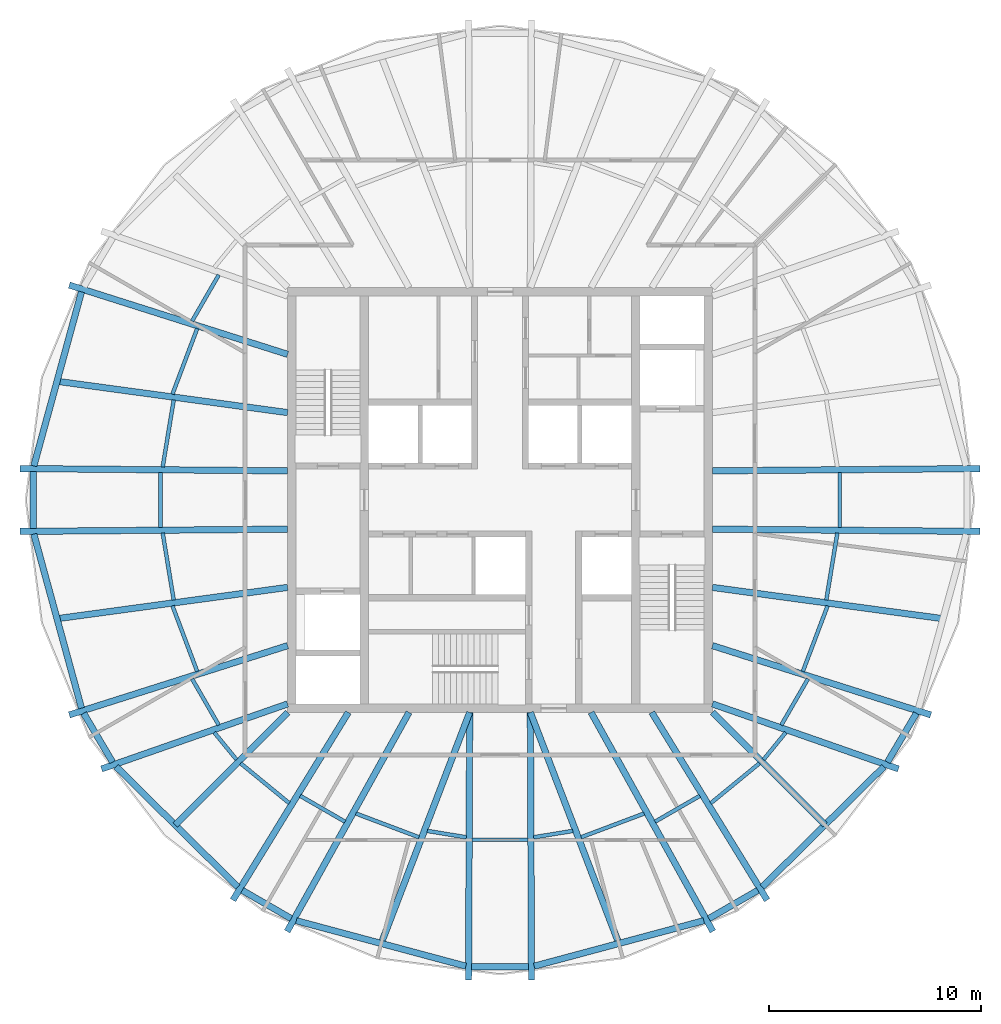
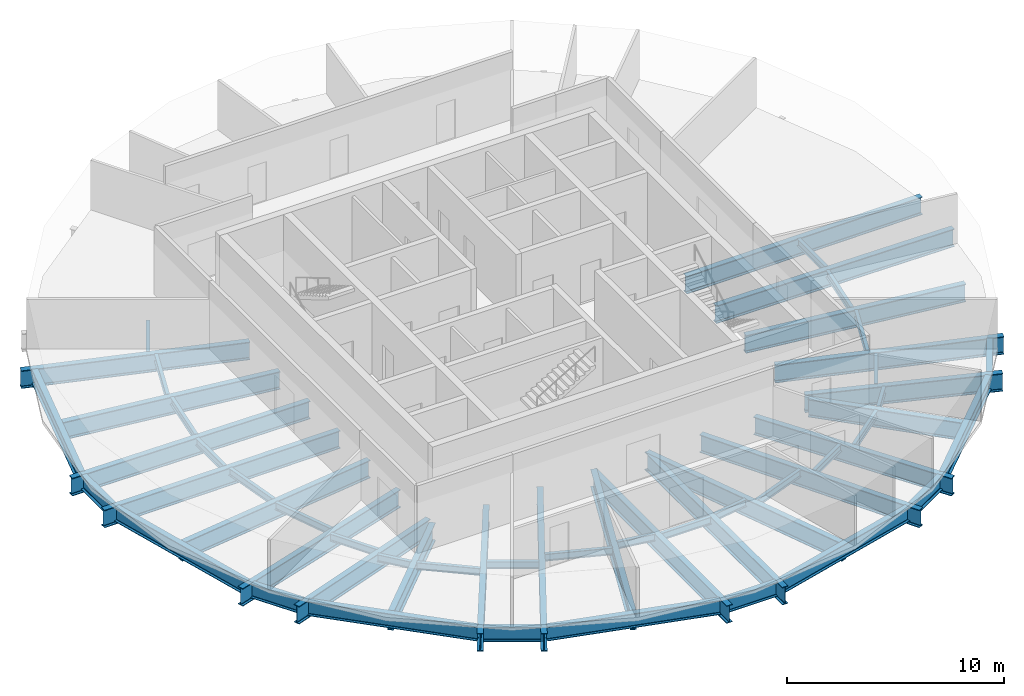
# One storey, part 1 of 6: 56 beams.
"""IFC4 building model written with IfcOpenShell, lengths in metres."""

from ifc_helpers import new_model, si_unit, direction, frame, origin, origin_2d, place, context, subcontext, project, spatial, i_section, extrude, material, material_profile, profile_set, type_object, element, save


model = new_model("IFC4")

# Units and contexts
model_context = context("Model", 3, precision=1e-05, world=origin(), true_north=direction((0.0, 1.0)))
body_context = subcontext(model_context, "Body", "Model", "MODEL_VIEW")
ifc_project = project(units=[si_unit("LENGTHUNIT", "METRE"), si_unit("AREAUNIT", "SQUARE_METRE"), si_unit("VOLUMEUNIT", "CUBIC_METRE"), si_unit("PLANEANGLEUNIT", "RADIAN"), si_unit("MASSUNIT", "GRAM", prefix="KILO")], contexts=[model_context])

# Site, building, storey
site_placement = place(None, origin())
site = spatial("IfcSite", under=ifc_project, at=site_placement, CompositionType="ELEMENT")
building_placement = place(site_placement, origin())
building = spatial("IfcBuilding", under=site, at=building_placement, Name="Golbaran Civic Tower", CompositionType="ELEMENT")
storey_placement = place(building_placement, frame((0.0, 0.0, 252.0)))
storey = spatial("IfcBuildingStorey", under=building, at=storey_placement, Name="L61", CompositionType="ELEMENT", Elevation=252.0)

# Beams
ifc_material = material(Name="Steel S355", Category="steel")
ifc_material_profile_1 = material_profile(ifc_material, i_section(OverallWidth=0.300048828125, OverallDepth=0.800048828125, WebThickness=0.017578125, FlangeThickness=0.032958984375, FilletRadius=0.030029296875, at=origin_2d()), Name="HEB 800")
ifc_profile_set_1 = profile_set([ifc_material_profile_1], Name="Steel S355")
beam_type_1 = type_object("IfcBeamType", Name="EDGE BEAM HEB 800", PredefinedType="BEAM", material=ifc_profile_set_1)
beam_1_placement = place(storey_placement, frame((-19.702392578125, 9.79833984375, -0.60009765625), z_axis=(-0.2639854018, -0.964526675441, 0.0), x_axis=(0.964526675441, -0.2639854018, 0.0)))
element("IfcBeam", 1, at=beam_1_placement, inside=storey, type_object=beam_type_1, Name="Edge beam 153.68 L61", PredefinedType="BEAM", context=body_context, shape_type="SweptSolid", body=[
    extrude(i_section(OverallWidth=0.300048828125, OverallDepth=0.800048828125, WebThickness=0.017578125, FlangeThickness=0.032958984375, FilletRadius=0.030029296875, at=origin_2d()), origin(), (0.0, 0.0, 1.0), 8.495361328125),
])
beam_2_placement = place(storey_placement, frame((-21.98046875, 1.344482421875, -0.60009765625), z_axis=(0.0, -1.0, 0.0), x_axis=(1.0, 0.0, 0.0)))
element("IfcBeam", 2, at=beam_2_placement, inside=storey, type_object=beam_type_1, Name="Edge beam 176.32 L61", PredefinedType="BEAM", context=body_context, shape_type="SweptSolid", body=[
    extrude(i_section(OverallWidth=0.300048828125, OverallDepth=0.800048828125, WebThickness=0.017578125, FlangeThickness=0.032958984375, FilletRadius=0.030029296875, at=origin_2d()), origin(), (0.0, 0.0, 1.0), 2.68896484375),
])
beam_3_placement = place(storey_placement, frame((-21.945068359375, -1.604248046875, -0.60009765625), z_axis=(0.2639854018, -0.964526675441, 0.0), x_axis=(0.964526675441, 0.2639854018, 0.0)))
element("IfcBeam", 3, at=beam_3_placement, inside=storey, type_object=beam_type_1, Name="Edge beam 183.68 L61", PredefinedType="BEAM", context=body_context, shape_type="SweptSolid", body=[
    extrude(i_section(OverallWidth=0.300048828125, OverallDepth=0.800048828125, WebThickness=0.017578125, FlangeThickness=0.032958984375, FilletRadius=0.030029296875, at=origin_2d()), origin(), (0.0, 0.0, 1.0), 8.495361328125),
])
beam_4_placement = place(storey_placement, frame((-19.600341796875, -10.03857421875, -0.60009765625), z_axis=(0.509116713484, -0.860697491602, 0.0), x_axis=(0.860697491602, 0.509116713484, 0.0)))
element("IfcBeam", 4, at=beam_4_placement, inside=storey, type_object=beam_type_1, Name="Edge beam 206.32 L61", PredefinedType="BEAM", context=body_context, shape_type="SweptSolid", body=[
    extrude(i_section(OverallWidth=0.300048828125, OverallDepth=0.800048828125, WebThickness=0.017578125, FlangeThickness=0.032958984375, FilletRadius=0.030029296875, at=origin_2d()), origin(), (0.0, 0.0, 1.0), 2.6748046875),
])
beam_5_placement = place(storey_placement, frame((-18.068115234375, -12.556884765625, -0.60009765625), z_axis=(0.711084081666, -0.703106982473, 0.0), x_axis=(0.703106982473, 0.711084081666, 0.0)))
element("IfcBeam", 5, at=beam_5_placement, inside=storey, type_object=beam_type_1, Name="Edge beam 213.68 L61", PredefinedType="BEAM", context=body_context, shape_type="SweptSolid", body=[
    extrude(i_section(OverallWidth=0.300048828125, OverallDepth=0.800048828125, WebThickness=0.017578125, FlangeThickness=0.032958984375, FilletRadius=0.030029296875, at=origin_2d()), origin(), (0.0, 0.0, 1.0), 8.049072265625),
])
beam_6_placement = place(storey_placement, frame((-12.136962890625, -18.375244140625, -0.60009765625), z_axis=(0.866179473096, -0.499733049124, 0.0), x_axis=(0.499733049124, 0.866179473096, 0.0)))
element("IfcBeam", 6, at=beam_6_placement, inside=storey, type_object=beam_type_1, Name="Edge beam 236.32 L61", PredefinedType="BEAM", context=body_context, shape_type="SweptSolid", body=[
    extrude(i_section(OverallWidth=0.300048828125, OverallDepth=0.800048828125, WebThickness=0.017578125, FlangeThickness=0.032958984375, FilletRadius=0.030029296875, at=origin_2d()), origin(), (0.0, 0.0, 1.0), 2.65966796875),
])
beam_7_placement = place(storey_placement, frame((-9.59130859375, -19.803955078125, -0.60009765625), z_axis=(0.965846984798, -0.259113106492, 0.0), x_axis=(0.259113106492, 0.965846984798, 0.0)))
element("IfcBeam", 7, at=beam_7_placement, inside=storey, type_object=beam_type_1, Name="Edge beam 243.68 L61", PredefinedType="BEAM", context=body_context, shape_type="SweptSolid", body=[
    extrude(i_section(OverallWidth=0.300048828125, OverallDepth=0.800048828125, WebThickness=0.017578125, FlangeThickness=0.032958984375, FilletRadius=0.030029296875, at=origin_2d()), origin(), (0.0, 0.0, 1.0), 8.26416015625),
])
beam_8_placement = place(storey_placement, frame((-1.349365234375, -21.980224609375, -0.60009765625), z_axis=(1.0, 0.0, 0.0), x_axis=(0.0, 1.0, 0.0)))
element("IfcBeam", 8, at=beam_8_placement, inside=storey, type_object=beam_type_1, Name="Edge beam 266.32 L61", PredefinedType="BEAM", context=body_context, shape_type="SweptSolid", body=[
    extrude(i_section(OverallWidth=0.300048828125, OverallDepth=0.800048828125, WebThickness=0.017578125, FlangeThickness=0.032958984375, FilletRadius=0.030029296875, at=origin_2d()), origin(), (0.0, 0.0, 1.0), 2.69873046875),
])
beam_9_placement = place(storey_placement, frame((1.609375, -21.9453125, -0.60009765625), z_axis=(0.965846984798, 0.259113106492, 0.0), x_axis=(-0.259113106492, 0.965846984798, 0.0)))
element("IfcBeam", 9, at=beam_9_placement, inside=storey, type_object=beam_type_1, Name="Edge beam 273.68 L61", PredefinedType="BEAM", context=body_context, shape_type="SweptSolid", body=[
    extrude(i_section(OverallWidth=0.300048828125, OverallDepth=0.800048828125, WebThickness=0.017578125, FlangeThickness=0.032958984375, FilletRadius=0.030029296875, at=origin_2d()), origin(), (0.0, 0.0, 1.0), 8.26416015625),
])
beam_10_placement = place(storey_placement, frame((9.833251953125, -19.704345703125, -0.60009765625), z_axis=(0.866179473096, 0.499733049124, 0.0), x_axis=(-0.499733049124, 0.866179473096, 0.0)))
element("IfcBeam", 10, at=beam_10_placement, inside=storey, type_object=beam_type_1, Name="Edge beam 296.32 L61", PredefinedType="BEAM", context=body_context, shape_type="SweptSolid", body=[
    extrude(i_section(OverallWidth=0.300048828125, OverallDepth=0.800048828125, WebThickness=0.017578125, FlangeThickness=0.032958984375, FilletRadius=0.030029296875, at=origin_2d()), origin(), (0.0, 0.0, 1.0), 2.65966796875),
])
beam_11_placement = place(storey_placement, frame((12.344482421875, -18.21630859375, -0.60009765625), z_axis=(0.711084081666, 0.703106982473, 0.0), x_axis=(-0.703106982473, 0.711084081666, 0.0)))
element("IfcBeam", 11, at=beam_11_placement, inside=storey, type_object=beam_type_1, Name="Edge beam 303.68 L61", PredefinedType="BEAM", context=body_context, shape_type="SweptSolid", body=[
    extrude(i_section(OverallWidth=0.300048828125, OverallDepth=0.800048828125, WebThickness=0.017578125, FlangeThickness=0.032958984375, FilletRadius=0.030029296875, at=origin_2d()), origin(), (0.0, 0.0, 1.0), 8.049072265625),
])
beam_12_placement = place(storey_placement, frame((18.238525390625, -12.3408203125, -0.60009765625), z_axis=(0.509116713484, 0.860697491602, 0.0), x_axis=(-0.860697491602, 0.509116713484, 0.0)))
element("IfcBeam", 12, at=beam_12_placement, inside=storey, type_object=beam_type_1, Name="Edge beam 326.32 L61", PredefinedType="BEAM", context=body_context, shape_type="SweptSolid", body=[
    extrude(i_section(OverallWidth=0.300048828125, OverallDepth=0.800048828125, WebThickness=0.017578125, FlangeThickness=0.032958984375, FilletRadius=0.030029296875, at=origin_2d()), origin(), (0.0, 0.0, 1.0), 2.6748046875),
])
ifc_material_profile_2 = material_profile(ifc_material, i_section(OverallWidth=0.179931640625, OverallDepth=0.39990234375, WebThickness=0.008544921875, FlangeThickness=0.013427734375, FilletRadius=0.02099609375, at=origin_2d()), Name="IPE 400")
ifc_profile_set_2 = profile_set([ifc_material_profile_2], Name="Steel S355")
beam_type_2 = type_object("IfcBeamType", Name="FLOOR INFILL BEAM IPE 400", PredefinedType="BEAM", material=ifc_profile_set_2)
beam_13_placement = place(storey_placement, frame((-13.2412109375, 10.5947265625, -0.39990234375), z_axis=(-0.499997360652, -0.866026927608, 0.0), x_axis=(0.866026927608, -0.499997360652, 0.0)))
element("IfcBeam", 13, at=beam_13_placement, inside=storey, type_object=beam_type_2, Name="Infill beam 150.00 L61", PredefinedType="BEAM", context=body_context, shape_type="SweptSolid", body=[
    extrude(i_section(OverallWidth=0.179931640625, OverallDepth=0.39990234375, WebThickness=0.008544921875, FlangeThickness=0.013427734375, FilletRadius=0.02099609375, at=origin_2d()), origin(), (0.0, 0.0, 1.0), 2.51123046875),
])
beam_14_placement = place(storey_placement, frame((-14.25537109375, 8.070556640625, -0.39990234375), z_axis=(-0.352881374098, -0.93566806925, 0.0), x_axis=(0.93566806925, -0.352881374098, 0.0)))
element("IfcBeam", 14, at=beam_14_placement, inside=storey, type_object=beam_type_2, Name="Infill beam 159.34 L61", PredefinedType="BEAM", context=body_context, shape_type="SweptSolid", body=[
    extrude(i_section(OverallWidth=0.179931640625, OverallDepth=0.39990234375, WebThickness=0.008544921875, FlangeThickness=0.013427734375, FilletRadius=0.02099609375, at=origin_2d()), origin(), (0.0, 0.0, 1.0), 3.301513671875),
])
beam_15_placement = place(storey_placement, frame((-15.360107421875, 4.7109375, -0.39990234375), z_axis=(-0.162283906091, -0.98674410757, 0.0), x_axis=(0.98674410757, -0.162283906091, 0.0)))
element("IfcBeam", 15, at=beam_15_placement, inside=storey, type_object=beam_type_2, Name="Infill beam 170.66 L61", PredefinedType="BEAM", context=body_context, shape_type="SweptSolid", body=[
    extrude(i_section(OverallWidth=0.179931640625, OverallDepth=0.39990234375, WebThickness=0.008544921875, FlangeThickness=0.013427734375, FilletRadius=0.02099609375, at=origin_2d()), origin(), (0.0, 0.0, 1.0), 3.201416015625),
])
beam_16_placement = place(storey_placement, frame((-15.990234375, 1.29296875, -0.39990234375), z_axis=(0.0, -1.0, 0.0), x_axis=(1.0, 0.0, 0.0)))
element("IfcBeam", 16, at=beam_16_placement, inside=storey, type_object=beam_type_2, Name="Infill beam 180.00 L61", PredefinedType="BEAM", context=body_context, shape_type="SweptSolid", body=[
    extrude(i_section(OverallWidth=0.179931640625, OverallDepth=0.39990234375, WebThickness=0.008544921875, FlangeThickness=0.013427734375, FilletRadius=0.02099609375, at=origin_2d()), origin(), (0.0, 0.0, 1.0), 2.5859375),
])
beam_17_placement = place(storey_placement, frame((-15.879638671875, -1.552001953125, -0.39990234375), z_axis=(0.162283906091, -0.98674410757, 0.0), x_axis=(0.98674410757, 0.162283906091, 0.0)))
element("IfcBeam", 17, at=beam_17_placement, inside=storey, type_object=beam_type_2, Name="Infill beam 189.34 L61", PredefinedType="BEAM", context=body_context, shape_type="SweptSolid", body=[
    extrude(i_section(OverallWidth=0.179931640625, OverallDepth=0.39990234375, WebThickness=0.008544921875, FlangeThickness=0.013427734375, FilletRadius=0.02099609375, at=origin_2d()), origin(), (0.0, 0.0, 1.0), 3.201416015625),
])
beam_18_placement = place(storey_placement, frame((-15.42041015625, -4.9814453125, -0.39990234375), z_axis=(0.352881374098, -0.93566806925, 0.0), x_axis=(0.93566806925, 0.352881374098, 0.0)))
element("IfcBeam", 18, at=beam_18_placement, inside=storey, type_object=beam_type_2, Name="Infill beam 200.66 L61", PredefinedType="BEAM", context=body_context, shape_type="SweptSolid", body=[
    extrude(i_section(OverallWidth=0.179931640625, OverallDepth=0.39990234375, WebThickness=0.008544921875, FlangeThickness=0.013427734375, FilletRadius=0.02099609375, at=origin_2d()), origin(), (0.0, 0.0, 1.0), 3.301513671875),
])
beam_19_placement = place(storey_placement, frame((-14.496826171875, -8.419921875, -0.39990234375), z_axis=(0.499997360652, -0.866026927608, 0.0), x_axis=(0.866026927608, 0.499997360652, 0.0)))
element("IfcBeam", 19, at=beam_19_placement, inside=storey, type_object=beam_type_2, Name="Infill beam 210.00 L61", PredefinedType="BEAM", context=body_context, shape_type="SweptSolid", body=[
    extrude(i_section(OverallWidth=0.179931640625, OverallDepth=0.39990234375, WebThickness=0.008544921875, FlangeThickness=0.013427734375, FilletRadius=0.02099609375, at=origin_2d()), origin(), (0.0, 0.0, 1.0), 2.51123046875),
])
beam_20_placement = place(storey_placement, frame((-13.451171875, -10.943603515625, -0.39990234375), z_axis=(0.633865610673, -0.773443202573, 0.0), x_axis=(0.773443202573, 0.633865610673, 0.0)))
element("IfcBeam", 20, at=beam_20_placement, inside=storey, type_object=beam_type_2, Name="Infill beam 219.34 L61", PredefinedType="BEAM", context=body_context, shape_type="SweptSolid", body=[
    extrude(i_section(OverallWidth=0.179931640625, OverallDepth=0.39990234375, WebThickness=0.008544921875, FlangeThickness=0.013427734375, FilletRadius=0.02099609375, at=origin_2d()), origin(), (0.0, 0.0, 1.0), 1.651123046875),
])
beam_21_placement = place(storey_placement, frame((-12.2119140625, -12.395751953125, -0.39990234375), z_axis=(0.773398730405, -0.633919871756, 0.0), x_axis=(0.633919871756, 0.773398730405, 0.0)))
element("IfcBeam", 21, at=beam_21_placement, inside=storey, type_object=beam_type_2, Name="Infill beam 230.66 L61", PredefinedType="BEAM", context=body_context, shape_type="SweptSolid", body=[
    extrude(i_section(OverallWidth=0.179931640625, OverallDepth=0.39990234375, WebThickness=0.008544921875, FlangeThickness=0.013427734375, FilletRadius=0.02099609375, at=origin_2d()), origin(), (0.0, 0.0, 1.0), 2.961669921875),
])
beam_22_placement = place(storey_placement, frame((-9.404296875, -13.92822265625, -0.39990234375), z_axis=(0.866036909293, -0.499980071345, 0.0), x_axis=(0.499980071345, 0.866036909293, 0.0)))
element("IfcBeam", 22, at=beam_22_placement, inside=storey, type_object=beam_type_2, Name="Infill beam 240.00 L61", PredefinedType="BEAM", context=body_context, shape_type="SweptSolid", body=[
    extrude(i_section(OverallWidth=0.179931640625, OverallDepth=0.39990234375, WebThickness=0.008544921875, FlangeThickness=0.013427734375, FilletRadius=0.02099609375, at=origin_2d()), origin(), (0.0, 0.0, 1.0), 2.43359375),
])
beam_23_placement = place(storey_placement, frame((-6.7841796875, -14.75830078125, -0.39990234375), z_axis=(0.93568186267, -0.352844798559, 0.0), x_axis=(0.352844798559, 0.93568186267, 0.0)))
element("IfcBeam", 23, at=beam_23_placement, inside=storey, type_object=beam_type_2, Name="Infill beam 249.34 L61", PredefinedType="BEAM", context=body_context, shape_type="SweptSolid", body=[
    extrude(i_section(OverallWidth=0.179931640625, OverallDepth=0.39990234375, WebThickness=0.008544921875, FlangeThickness=0.013427734375, FilletRadius=0.02099609375, at=origin_2d()), origin(), (0.0, 0.0, 1.0), 3.169677734375),
])
beam_24_placement = place(storey_placement, frame((-3.42529296875, -15.57763671875, -0.39990234375), z_axis=(0.986759112709, -0.162192643128, 0.0), x_axis=(0.162192643128, 0.986759112709, 0.0)))
element("IfcBeam", 24, at=beam_24_placement, inside=storey, type_object=beam_type_2, Name="Infill beam 260.66 L61", PredefinedType="BEAM", context=body_context, shape_type="SweptSolid", body=[
    extrude(i_section(OverallWidth=0.179931640625, OverallDepth=0.39990234375, WebThickness=0.008544921875, FlangeThickness=0.013427734375, FilletRadius=0.02099609375, at=origin_2d()), origin(), (0.0, 0.0, 1.0), 1.866455078125),
])
beam_25_placement = place(storey_placement, frame((-1.323974609375, -15.989990234375, -0.39990234375), z_axis=(1.0, 0.0, 0.0), x_axis=(0.0, 1.0, 0.0)))
element("IfcBeam", 25, at=beam_25_placement, inside=storey, type_object=beam_type_2, Name="Infill beam 270.00 L61", PredefinedType="BEAM", context=body_context, shape_type="SweptSolid", body=[
    extrude(i_section(OverallWidth=0.179931640625, OverallDepth=0.39990234375, WebThickness=0.008544921875, FlangeThickness=0.013427734375, FilletRadius=0.02099609375, at=origin_2d()), origin(), (0.0, 0.0, 1.0), 2.64794921875),
])
beam_26_placement = place(storey_placement, frame((1.58349609375, -15.88037109375, -0.39990234375), z_axis=(0.986759112709, 0.162192643128, 0.0), x_axis=(-0.162192643128, 0.986759112709, 0.0)))
element("IfcBeam", 26, at=beam_26_placement, inside=storey, type_object=beam_type_2, Name="Infill beam 279.34 L61", PredefinedType="BEAM", context=body_context, shape_type="SweptSolid", body=[
    extrude(i_section(OverallWidth=0.179931640625, OverallDepth=0.39990234375, WebThickness=0.008544921875, FlangeThickness=0.013427734375, FilletRadius=0.02099609375, at=origin_2d()), origin(), (0.0, 0.0, 1.0), 1.866455078125),
])
beam_27_placement = place(storey_placement, frame((3.818359375, -15.876708984375, -0.39990234375), z_axis=(0.93568186267, 0.352844798559, 0.0), x_axis=(-0.352844798559, 0.93568186267, 0.0)))
element("IfcBeam", 27, at=beam_27_placement, inside=storey, type_object=beam_type_2, Name="Infill beam 290.66 L61", PredefinedType="BEAM", context=body_context, shape_type="SweptSolid", body=[
    extrude(i_section(OverallWidth=0.179931640625, OverallDepth=0.39990234375, WebThickness=0.008544921875, FlangeThickness=0.013427734375, FilletRadius=0.02099609375, at=origin_2d()), origin(), (0.0, 0.0, 1.0), 3.169677734375),
])
beam_28_placement = place(storey_placement, frame((7.296630859375, -15.14501953125, -0.39990234375), z_axis=(0.866036909293, 0.499980071345, 0.0), x_axis=(-0.499980071345, 0.866036909293, 0.0)))
element("IfcBeam", 28, at=beam_28_placement, inside=storey, type_object=beam_type_2, Name="Infill beam 300.00 L61", PredefinedType="BEAM", context=body_context, shape_type="SweptSolid", body=[
    extrude(i_section(OverallWidth=0.179931640625, OverallDepth=0.39990234375, WebThickness=0.008544921875, FlangeThickness=0.013427734375, FilletRadius=0.02099609375, at=origin_2d()), origin(), (0.0, 0.0, 1.0), 2.43359375),
])
beam_29_placement = place(storey_placement, frame((9.92138671875, -14.273193359375, -0.39990234375), z_axis=(0.773398730405, 0.633919871756, 0.0), x_axis=(-0.633919871756, 0.773398730405, 0.0)))
element("IfcBeam", 29, at=beam_29_placement, inside=storey, type_object=beam_type_2, Name="Infill beam 309.34 L61", PredefinedType="BEAM", context=body_context, shape_type="SweptSolid", body=[
    extrude(i_section(OverallWidth=0.179931640625, OverallDepth=0.39990234375, WebThickness=0.008544921875, FlangeThickness=0.013427734375, FilletRadius=0.02099609375, at=origin_2d()), origin(), (0.0, 0.0, 1.0), 2.961669921875),
])
beam_30_placement = place(storey_placement, frame((12.404541015625, -12.220703125, -0.39990234375), z_axis=(0.633865610673, 0.773443202573, 0.0), x_axis=(-0.773443202573, 0.633865610673, 0.0)))
element("IfcBeam", 30, at=beam_30_placement, inside=storey, type_object=beam_type_2, Name="Infill beam 320.66 L61", PredefinedType="BEAM", context=body_context, shape_type="SweptSolid", body=[
    extrude(i_section(OverallWidth=0.179931640625, OverallDepth=0.39990234375, WebThickness=0.008544921875, FlangeThickness=0.013427734375, FilletRadius=0.02099609375, at=origin_2d()), origin(), (0.0, 0.0, 1.0), 1.651123046875),
])
beam_31_placement = place(storey_placement, frame((13.2412109375, -10.5947265625, -0.39990234375), z_axis=(0.499997360652, 0.866026927608, 0.0), x_axis=(-0.866026927608, 0.499997360652, 0.0)))
element("IfcBeam", 31, at=beam_31_placement, inside=storey, type_object=beam_type_2, Name="Infill beam 330.00 L61", PredefinedType="BEAM", context=body_context, shape_type="SweptSolid", body=[
    extrude(i_section(OverallWidth=0.179931640625, OverallDepth=0.39990234375, WebThickness=0.008544921875, FlangeThickness=0.013427734375, FilletRadius=0.02099609375, at=origin_2d()), origin(), (0.0, 0.0, 1.0), 2.51123046875),
])
beam_32_placement = place(storey_placement, frame((14.25537109375, -8.070556640625, -0.39990234375), z_axis=(0.352881374098, 0.93566806925, 0.0), x_axis=(-0.93566806925, 0.352881374098, 0.0)))
element("IfcBeam", 32, at=beam_32_placement, inside=storey, type_object=beam_type_2, Name="Infill beam 339.34 L61", PredefinedType="BEAM", context=body_context, shape_type="SweptSolid", body=[
    extrude(i_section(OverallWidth=0.179931640625, OverallDepth=0.39990234375, WebThickness=0.008544921875, FlangeThickness=0.013427734375, FilletRadius=0.02099609375, at=origin_2d()), origin(), (0.0, 0.0, 1.0), 3.301513671875),
])
beam_33_placement = place(storey_placement, frame((15.360107421875, -4.7109375, -0.39990234375), z_axis=(0.162283906091, 0.98674410757, 0.0), x_axis=(-0.98674410757, 0.162283906091, 0.0)))
element("IfcBeam", 33, at=beam_33_placement, inside=storey, type_object=beam_type_2, Name="Infill beam 350.66 L61", PredefinedType="BEAM", context=body_context, shape_type="SweptSolid", body=[
    extrude(i_section(OverallWidth=0.179931640625, OverallDepth=0.39990234375, WebThickness=0.008544921875, FlangeThickness=0.013427734375, FilletRadius=0.02099609375, at=origin_2d()), origin(), (0.0, 0.0, 1.0), 3.201416015625),
])
beam_34_placement = place(storey_placement, frame((15.990234375, -1.29296875, -0.39990234375), z_axis=(0.0, 1.0, 0.0), x_axis=(-1.0, 0.0, 0.0)))
element("IfcBeam", 34, at=beam_34_placement, inside=storey, type_object=beam_type_2, Name="Infill beam 0.00 L61", PredefinedType="BEAM", context=body_context, shape_type="SweptSolid", body=[
    extrude(i_section(OverallWidth=0.179931640625, OverallDepth=0.39990234375, WebThickness=0.008544921875, FlangeThickness=0.013427734375, FilletRadius=0.02099609375, at=origin_2d()), origin(), (0.0, 0.0, 1.0), 2.5859375),
])
ifc_material_profile_3 = material_profile(ifc_material, i_section(OverallWidth=0.300048828125, OverallDepth=1.0, WebThickness=0.01904296875, FlangeThickness=0.035888671875, FilletRadius=0.030029296875, at=origin_2d()), Name="HEB 1000")
ifc_profile_set_3 = profile_set([ifc_material_profile_3], Name="Steel S355")
beam_type_3 = type_object("IfcBeamType", Name="RADIAL FLOOR BEAM HEB 1000", PredefinedType="BEAM", material=ifc_profile_set_3)
beam_35_placement = place(storey_placement, frame((10.0, 1.371337890625, -0.7099609375), z_axis=(0.999962972, 0.008605499963, 0.0), x_axis=(-0.008605499963, 0.999962972, 0.0)))
element("IfcBeam", 35, at=beam_35_placement, inside=storey, type_object=beam_type_3, Name="Radial beam 3.68 L61", PredefinedType="BEAM", context=body_context, shape_type="SweptSolid", body=[
    extrude(i_section(OverallWidth=0.300048828125, OverallDepth=1.0, WebThickness=0.01904296875, FlangeThickness=0.035888671875, FilletRadius=0.030029296875, at=origin_2d()), origin(), (0.0, 0.0, 1.0), 12.596435546875),
])
beam_36_placement = place(storey_placement, frame((-10.0, 6.857177734375, -0.7099609375), z_axis=(-0.953197531935, 0.302348251381, 0.0), x_axis=(-0.302348251381, -0.953197531935, 0.0)))
element("IfcBeam", 36, at=beam_36_placement, inside=storey, type_object=beam_type_3, Name="Radial beam 153.68 L61", PredefinedType="BEAM", context=body_context, shape_type="SweptSolid", body=[
    extrude(i_section(OverallWidth=0.300048828125, OverallDepth=1.0, WebThickness=0.01904296875, FlangeThickness=0.035888671875, FilletRadius=0.030029296875, at=origin_2d()), origin(), (0.0, 0.0, 1.0), 10.78076171875),
])
for number, where, z_axis, x_axis, name in (
    (37, (-10.0, 1.371337890625, -0.7099609375), (-0.999962972, 0.008605499963, 0.0), (-0.008605499963, -0.999962972, 0.0), "Radial beam 176.32 L61"),
    (38, (-10.0, -1.371337890625, -0.7099609375), (-0.999962972, -0.008605499963, 0.0), (0.008605499963, -0.999962972, 0.0), "Radial beam 183.68 L61"),
):
    element("IfcBeam", number, at=place(storey_placement, frame(where, z_axis=z_axis, x_axis=x_axis)), inside=storey, type_object=beam_type_3, Name=name, PredefinedType="BEAM", context=body_context, shape_type="SweptSolid", body=[
        extrude(i_section(OverallWidth=0.300048828125, OverallDepth=1.0, WebThickness=0.01904296875, FlangeThickness=0.035888671875, FilletRadius=0.030029296875, at=origin_2d()), origin(), (0.0, 0.0, 1.0), 12.596435546875),
    ])
beam_37_placement = place(storey_placement, frame((-10.0, -6.857177734375, -0.7099609375), z_axis=(-0.953197531935, -0.302348251381, 0.0), x_axis=(0.302348251381, -0.953197531935, 0.0)))
element("IfcBeam", 39, at=beam_37_placement, inside=storey, type_object=beam_type_3, Name="Radial beam 206.32 L61", PredefinedType="BEAM", context=body_context, shape_type="SweptSolid", body=[
    extrude(i_section(OverallWidth=0.300048828125, OverallDepth=1.0, WebThickness=0.01904296875, FlangeThickness=0.035888671875, FilletRadius=0.030029296875, at=origin_2d()), origin(), (0.0, 0.0, 1.0), 10.78076171875),
])
beam_38_placement = place(storey_placement, frame((-10.0, -9.60009765625, -0.7099609375), z_axis=(-0.94403425844, -0.329847417592, 0.0), x_axis=(0.329847417592, -0.94403425844, 0.0)))
element("IfcBeam", 40, at=beam_38_placement, inside=storey, type_object=beam_type_3, Name="Radial beam 213.68 L61", PredefinedType="BEAM", context=body_context, shape_type="SweptSolid", body=[
    extrude(i_section(OverallWidth=0.300048828125, OverallDepth=1.0, WebThickness=0.01904296875, FlangeThickness=0.035888671875, FilletRadius=0.030029296875, at=origin_2d()), origin(), (0.0, 0.0, 1.0), 9.275634765625),
])
beam_39_placement = place(storey_placement, frame((-7.142822265625, -10.0, -0.7099609375), z_axis=(-0.523554838501, -0.851991978297, 0.0), x_axis=(0.851991978297, -0.523554838501, 0.0)))
element("IfcBeam", 41, at=beam_39_placement, inside=storey, type_object=beam_type_3, Name="Radial beam 236.32 L61", PredefinedType="BEAM", context=body_context, shape_type="SweptSolid", body=[
    extrude(i_section(OverallWidth=0.300048828125, OverallDepth=1.0, WebThickness=0.01904296875, FlangeThickness=0.035888671875, FilletRadius=0.030029296875, at=origin_2d()), origin(), (0.0, 0.0, 1.0), 10.370361328125),
])
beam_40_placement = place(storey_placement, frame((-4.28564453125, -10.0, -0.7099609375), z_axis=(-0.486164796605, -0.873867146963, 0.0), x_axis=(0.873867146963, -0.486164796605, 0.0)))
element("IfcBeam", 42, at=beam_40_placement, inside=storey, type_object=beam_type_3, Name="Radial beam 243.68 L61", PredefinedType="BEAM", context=body_context, shape_type="SweptSolid", body=[
    extrude(i_section(OverallWidth=0.300048828125, OverallDepth=1.0, WebThickness=0.01904296875, FlangeThickness=0.035888671875, FilletRadius=0.030029296875, at=origin_2d()), origin(), (0.0, 0.0, 1.0), 11.795166015625),
])
for number, where, z_axis, x_axis, name in (
    (43, (-1.428466796875, -10.0, -0.7099609375), (-0.004244888196, -0.999990990422, 0.0), (0.999990990422, -0.004244888196, 0.0), "Radial beam 266.32 L61"),
    (44, (1.428466796875, -10.0, -0.7099609375), (0.004244888196, -0.999990990422, 0.0), (0.999990990422, 0.004244888196, 0.0), "Radial beam 273.68 L61"),
):
    element("IfcBeam", number, at=place(storey_placement, frame(where, z_axis=z_axis, x_axis=x_axis)), inside=storey, type_object=beam_type_3, Name=name, PredefinedType="BEAM", context=body_context, shape_type="SweptSolid", body=[
        extrude(i_section(OverallWidth=0.300048828125, OverallDepth=1.0, WebThickness=0.01904296875, FlangeThickness=0.035888671875, FilletRadius=0.030029296875, at=origin_2d()), origin(), (0.0, 0.0, 1.0), 12.595458984375),
    ])
beam_41_placement = place(storey_placement, frame((4.28564453125, -10.0, -0.7099609375), z_axis=(0.486164796605, -0.873867146963, 0.0), x_axis=(0.873867146963, 0.486164796605, 0.0)))
element("IfcBeam", 45, at=beam_41_placement, inside=storey, type_object=beam_type_3, Name="Radial beam 296.32 L61", PredefinedType="BEAM", context=body_context, shape_type="SweptSolid", body=[
    extrude(i_section(OverallWidth=0.300048828125, OverallDepth=1.0, WebThickness=0.01904296875, FlangeThickness=0.035888671875, FilletRadius=0.030029296875, at=origin_2d()), origin(), (0.0, 0.0, 1.0), 11.795166015625),
])
beam_42_placement = place(storey_placement, frame((7.142822265625, -10.0, -0.7099609375), z_axis=(0.523554838501, -0.851991978297, 0.0), x_axis=(0.851991978297, 0.523554838501, 0.0)))
element("IfcBeam", 46, at=beam_42_placement, inside=storey, type_object=beam_type_3, Name="Radial beam 303.68 L61", PredefinedType="BEAM", context=body_context, shape_type="SweptSolid", body=[
    extrude(i_section(OverallWidth=0.300048828125, OverallDepth=1.0, WebThickness=0.01904296875, FlangeThickness=0.035888671875, FilletRadius=0.030029296875, at=origin_2d()), origin(), (0.0, 0.0, 1.0), 10.370361328125),
])
beam_43_placement = place(storey_placement, frame((10.0, -9.60009765625, -0.7099609375), z_axis=(0.94403425844, -0.329847417592, 0.0), x_axis=(0.329847417592, 0.94403425844, 0.0)))
element("IfcBeam", 47, at=beam_43_placement, inside=storey, type_object=beam_type_3, Name="Radial beam 326.32 L61", PredefinedType="BEAM", context=body_context, shape_type="SweptSolid", body=[
    extrude(i_section(OverallWidth=0.300048828125, OverallDepth=1.0, WebThickness=0.01904296875, FlangeThickness=0.035888671875, FilletRadius=0.030029296875, at=origin_2d()), origin(), (0.0, 0.0, 1.0), 9.275634765625),
])
beam_44_placement = place(storey_placement, frame((10.0, -6.857177734375, -0.7099609375), z_axis=(0.953197531935, -0.302348251381, 0.0), x_axis=(0.302348251381, 0.953197531935, 0.0)))
element("IfcBeam", 48, at=beam_44_placement, inside=storey, type_object=beam_type_3, Name="Radial beam 333.68 L61", PredefinedType="BEAM", context=body_context, shape_type="SweptSolid", body=[
    extrude(i_section(OverallWidth=0.300048828125, OverallDepth=1.0, WebThickness=0.01904296875, FlangeThickness=0.035888671875, FilletRadius=0.030029296875, at=origin_2d()), origin(), (0.0, 0.0, 1.0), 10.78076171875),
])
beam_45_placement = place(storey_placement, frame((10.0, -1.371337890625, -0.7099609375), z_axis=(0.999962972, -0.008605499963, 0.0), x_axis=(0.008605499963, 0.999962972, 0.0)))
element("IfcBeam", 49, at=beam_45_placement, inside=storey, type_object=beam_type_3, Name="Radial beam 356.32 L61", PredefinedType="BEAM", context=body_context, shape_type="SweptSolid", body=[
    extrude(i_section(OverallWidth=0.300048828125, OverallDepth=1.0, WebThickness=0.01904296875, FlangeThickness=0.035888671875, FilletRadius=0.030029296875, at=origin_2d()), origin(), (0.0, 0.0, 1.0), 12.596435546875),
])
ifc_material_profile_4 = material_profile(ifc_material, i_section(OverallWidth=0.300048828125, OverallDepth=1.0, WebThickness=0.01904296875, FlangeThickness=0.035888671875, FilletRadius=0.030029296875, at=origin_2d()), Name="HEB 1000")
ifc_profile_set_4 = profile_set([ifc_material_profile_4], Name="Steel S355")
beam_type_4 = type_object("IfcBeamType", Name="SECONDARY FLOOR BEAM HEB 1000", PredefinedType="BEAM", material=ifc_profile_set_4)
for number, where, z_axis, x_axis, name in (
    (50, (-10.0, 4.1142578125, -0.7099609375), (-0.990910146162, 0.13452539624, 0.0), (-0.13452539624, -0.990910146162, 0.0), "Secondary beam 165.00 L61"),
    (51, (-10.0, -4.1142578125, -0.7099609375), (-0.990910146162, -0.13452539624, 0.0), (0.13452539624, -0.990910146162, 0.0), "Secondary beam 195.00 L61"),
):
    element("IfcBeam", number, at=place(storey_placement, frame(where, z_axis=z_axis, x_axis=x_axis)), inside=storey, type_object=beam_type_4, Name=name, PredefinedType="BEAM", context=body_context, shape_type="SweptSolid", body=[
        extrude(i_section(OverallWidth=0.300048828125, OverallDepth=1.0, WebThickness=0.01904296875, FlangeThickness=0.035888671875, FilletRadius=0.030029296875, at=origin_2d()), origin(), (0.0, 0.0, 1.0), 10.954345703125),
    ])
beam_46_placement = place(storey_placement, frame((-10.0, -10.0, -0.7099609375), z_axis=(-0.707106781187, -0.707106781187, 0.0), x_axis=(0.707106781187, -0.707106781187, 0.0)))
element("IfcBeam", 52, at=beam_46_placement, inside=storey, type_object=beam_type_4, Name="Secondary beam 225.00 L61", PredefinedType="BEAM", context=body_context, shape_type="SweptSolid", body=[
    extrude(i_section(OverallWidth=0.300048828125, OverallDepth=1.0, WebThickness=0.01904296875, FlangeThickness=0.035888671875, FilletRadius=0.030029296875, at=origin_2d()), origin(), (0.0, 0.0, 1.0), 7.490966796875),
])
for number, where, z_axis, x_axis, name in (
    (53, (-1.428466796875, -10.0, -0.7099609375), (-0.357634431113, -0.933861667316, 0.0), (0.933861667316, -0.357634431113, 0.0), "Secondary beam 255.00 L61"),
    (54, (1.428466796875, -10.0, -0.7099609375), (0.357634431113, -0.933861667316, 0.0), (0.933861667316, 0.357634431113, 0.0), "Secondary beam 285.00 L61"),
):
    element("IfcBeam", number, at=place(storey_placement, frame(where, z_axis=z_axis, x_axis=x_axis)), inside=storey, type_object=beam_type_4, Name=name, PredefinedType="BEAM", context=body_context, shape_type="SweptSolid", body=[
        extrude(i_section(OverallWidth=0.300048828125, OverallDepth=1.0, WebThickness=0.01904296875, FlangeThickness=0.035888671875, FilletRadius=0.030029296875, at=origin_2d()), origin(), (0.0, 0.0, 1.0), 11.646728515625),
    ])
beam_47_placement = place(storey_placement, frame((10.0, -10.0, -0.7099609375), z_axis=(0.707106781187, -0.707106781187, 0.0), x_axis=(0.707106781187, 0.707106781187, 0.0)))
element("IfcBeam", 55, at=beam_47_placement, inside=storey, type_object=beam_type_4, Name="Secondary beam 315.00 L61", PredefinedType="BEAM", context=body_context, shape_type="SweptSolid", body=[
    extrude(i_section(OverallWidth=0.300048828125, OverallDepth=1.0, WebThickness=0.01904296875, FlangeThickness=0.035888671875, FilletRadius=0.030029296875, at=origin_2d()), origin(), (0.0, 0.0, 1.0), 7.490966796875),
])
beam_48_placement = place(storey_placement, frame((10.0, -4.1142578125, -0.7099609375), z_axis=(0.990910146162, -0.13452539624, 0.0), x_axis=(0.13452539624, 0.990910146162, 0.0)))
element("IfcBeam", 56, at=beam_48_placement, inside=storey, type_object=beam_type_4, Name="Secondary beam 345.00 L61", PredefinedType="BEAM", context=body_context, shape_type="SweptSolid", body=[
    extrude(i_section(OverallWidth=0.300048828125, OverallDepth=1.0, WebThickness=0.01904296875, FlangeThickness=0.035888671875, FilletRadius=0.030029296875, at=origin_2d()), origin(), (0.0, 0.0, 1.0), 10.954345703125),
])

save(model, "model.ifc")
